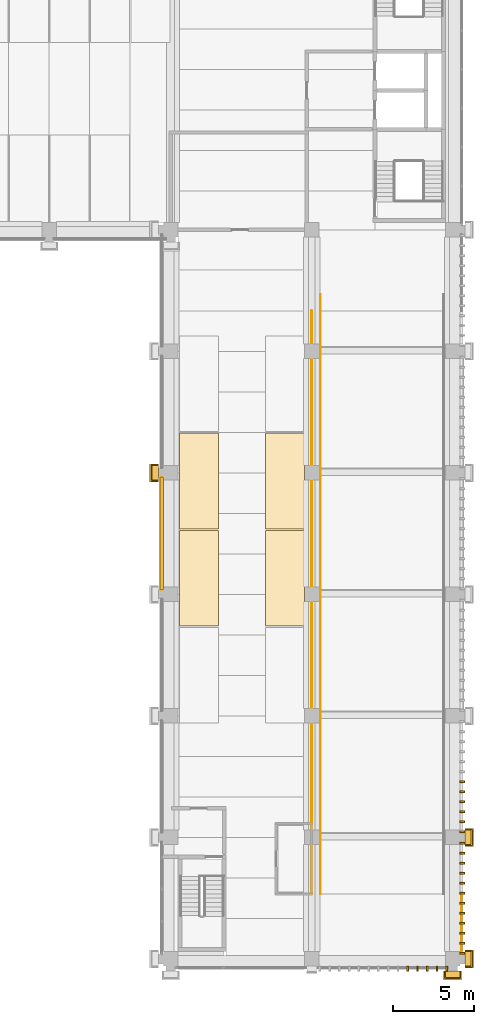
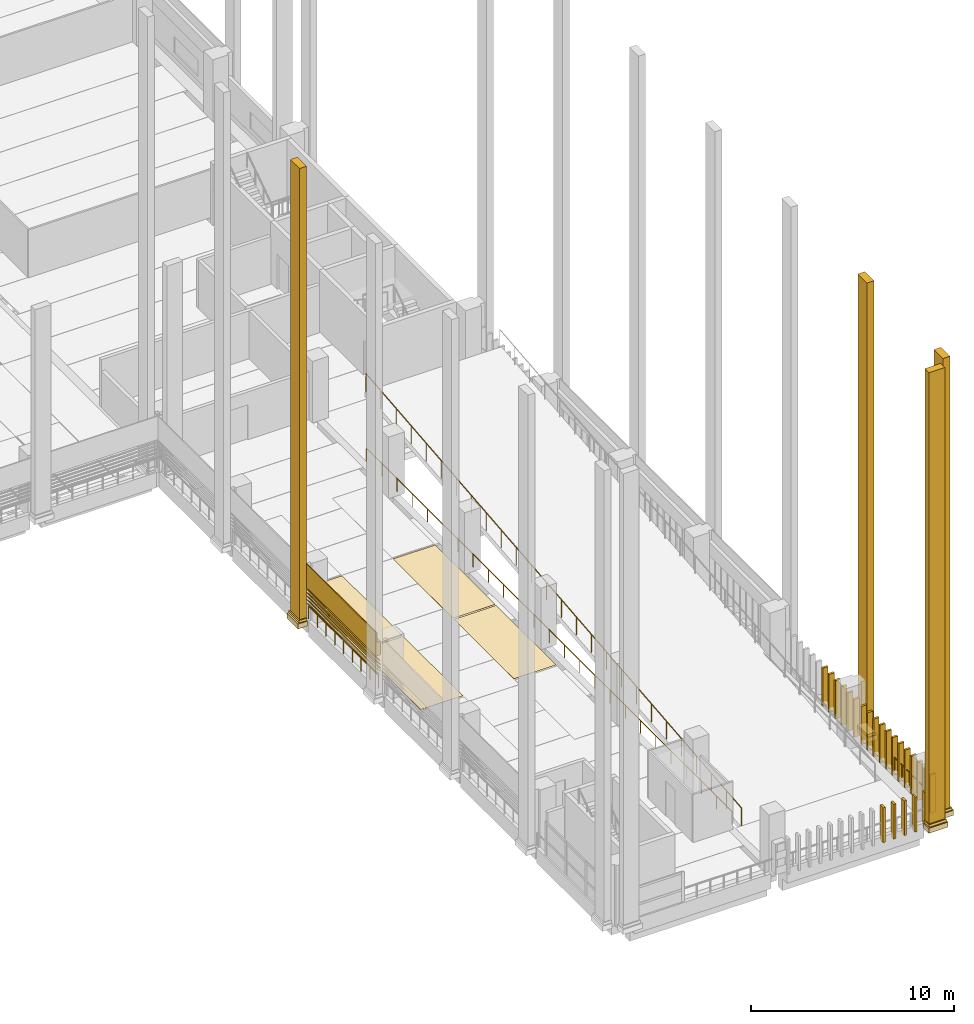
# One storey, part 57 of 67: 40 coverings, 5 shading devices, 4 railings.
"""IFC4 building model written with IfcOpenShell, lengths in metres."""

from ifc_helpers import new_model, si_unit, direction, frame, origin, origin_2d, place, context, subcontext, project, spatial, polyline, circle, outline, extrude, material, layer, layer_set, type_object, element, save


model = new_model("IFC4")

# Units and contexts
model_context = context("Model", 3, precision=1e-05, world=origin(), true_north=direction((0.0, 1.0)))
body_context = subcontext(model_context, "Body", "Model", "MODEL_VIEW")
ifc_project = project(units=[si_unit("LENGTHUNIT", "METRE"), si_unit("AREAUNIT", "SQUARE_METRE"), si_unit("VOLUMEUNIT", "CUBIC_METRE"), si_unit("PLANEANGLEUNIT", "RADIAN"), si_unit("MASSUNIT", "GRAM", prefix="KILO")], contexts=[model_context])

# Site, building, storey
site_placement = place(None, origin())
site = spatial("IfcSite", under=ifc_project, at=site_placement, CompositionType="ELEMENT")
building_placement = place(site_placement, origin())
building = spatial("IfcBuilding", under=site, at=building_placement, Name="Cour d'Honneur Mobility Palace", CompositionType="ELEMENT")
storey_placement = place(building_placement, frame((0.0, 0.0, 4.5)))
storey = spatial("IfcBuildingStorey", under=building, at=storey_placement, Name="L01", CompositionType="ELEMENT", Elevation=4.5)

# Railings
ifc_material_1 = material(Name="Painted steel", Category="steel")
railing_type_1 = type_object("IfcRailingType", Name="Balustrade", PredefinedType="BALUSTRADE", material=ifc_material_1)
railing_1_placement = place(storey_placement, frame((144.35009765625, 29.699951171875, 0.300048828125)))
element("IfcRailing", 1, at=railing_1_placement, inside=storey, type_object=railing_type_1, Name="Balustrade BAL-25", PredefinedType="BALUSTRADE", context=body_context, shape_type="SweptSolid", body=[
    extrude(circle(Radius=0.02392578125, at=origin_2d()), frame((0.0, 0.0, 0.77587890625), z_axis=(0.0, -1.0, 0.0), x_axis=(1.0, 0.0, 0.0)), (0.0, 0.0, 1.0), 6.89990234375),
    extrude(circle(Radius=0.02099609375, at=origin_2d()), origin(), (0.0, 0.0, 1.0), 0.751953125),
    extrude(circle(Radius=0.02099609375, at=origin_2d()), frame((0.0, -0.862548828125, 0.0)), (0.0, 0.0, 1.0), 0.751953125),
    extrude(circle(Radius=0.02099609375, at=origin_2d()), frame((0.0, -1.72509765625, 0.0)), (0.0, 0.0, 1.0), 0.751953125),
    extrude(circle(Radius=0.02099609375, at=origin_2d()), frame((0.0, -2.58740234375, 0.0)), (0.0, 0.0, 1.0), 0.751953125),
    extrude(circle(Radius=0.02099609375, at=origin_2d()), frame((0.0, -3.449951171875, 0.0)), (0.0, 0.0, 1.0), 0.751953125),
    extrude(circle(Radius=0.02099609375, at=origin_2d()), frame((0.0, -4.3125, 0.0)), (0.0, 0.0, 1.0), 0.751953125),
    extrude(circle(Radius=0.02099609375, at=origin_2d()), frame((0.0, -5.1748046875, 0.0)), (0.0, 0.0, 1.0), 0.751953125),
    extrude(circle(Radius=0.02099609375, at=origin_2d()), frame((0.0, -6.037353515625, 0.0)), (0.0, 0.0, 1.0), 0.751953125),
    extrude(circle(Radius=0.02099609375, at=origin_2d()), frame((0.0, -6.89990234375, 0.0)), (0.0, 0.0, 1.0), 0.751953125),
])
railing_2_placement = place(storey_placement, frame((162.85009765625, 0.300048828125, 0.300048828125)))
element("IfcRailing", 2, at=railing_2_placement, inside=storey, type_object=railing_type_1, Name="Balustrade BAL-31", PredefinedType="BALUSTRADE", context=body_context, shape_type="SweptSolid", body=[
    extrude(circle(Radius=0.02392578125, at=origin_2d()), frame((0.0, 0.0, 0.77587890625), z_axis=(0.0, 1.0, 0.0), x_axis=(-1.0, 0.0, 0.0)), (0.0, 0.0, 1.0), 3.699951171875),
    extrude(circle(Radius=0.02099609375, at=origin_2d()), origin(), (0.0, 0.0, 1.0), 0.751953125),
    extrude(circle(Radius=0.02099609375, at=origin_2d()), frame((0.0, 0.739990234375, 0.0)), (0.0, 0.0, 1.0), 0.751953125),
    extrude(circle(Radius=0.02099609375, at=origin_2d()), frame((0.0, 1.47998046875, 0.0)), (0.0, 0.0, 1.0), 0.751953125),
    extrude(circle(Radius=0.02099609375, at=origin_2d()), frame((0.0, 2.219970703125, 0.0)), (0.0, 0.0, 1.0), 0.751953125),
    extrude(circle(Radius=0.02099609375, at=origin_2d()), frame((0.0, 2.9599609375, 0.0)), (0.0, 0.0, 1.0), 0.751953125),
    extrude(circle(Radius=0.02099609375, at=origin_2d()), frame((0.0, 3.699951171875, 0.0)), (0.0, 0.0, 1.0), 0.751953125),
])

# Coverings
ifc_material_2 = material(Name="Parking marking paint")
ifc_layer_1 = layer(ifc_material_2, 0.0048828125)
ifc_layer_set_1 = layer_set([ifc_layer_1], Name="Parking marking paint")
covering_type_1 = type_object("IfcCoveringType", Name="Parking bay marking", PredefinedType="FLOORING", material=ifc_layer_set_1)
covering_1_placement = place(storey_placement, origin())
element("IfcCovering", 3, at=covering_1_placement, inside=storey, type_object=covering_type_1, Name="Parking bay marking L01 76", PredefinedType="FLOORING", context=body_context, shape_type="SweptSolid", body=[
    extrude(outline(polyline([(153.14990234375, 20.550048828125), (150.75, 20.550048828125), (150.75, 26.449951171875), (153.14990234375, 26.449951171875), (153.14990234375, 20.550048828125)])), origin(), (0.0, 0.0, 1.0), 0.0048828125),
])
covering_2_placement = place(storey_placement, origin())
element("IfcCovering", 4, at=covering_2_placement, inside=storey, type_object=covering_type_1, Name="Parking bay marking L01 77", PredefinedType="FLOORING", context=body_context, shape_type="SweptSolid", body=[
    extrude(outline(polyline([(153.14990234375, 26.550048828125), (150.75, 26.550048828125), (150.75, 32.449951171875), (153.14990234375, 32.449951171875), (153.14990234375, 26.550048828125)])), origin(), (0.0, 0.0, 1.0), 0.0048828125),
])
covering_3_placement = place(storey_placement, origin())
element("IfcCovering", 5, at=covering_3_placement, inside=storey, type_object=covering_type_1, Name="Parking bay marking L01 80", PredefinedType="FLOORING", context=body_context, shape_type="SweptSolid", body=[
    extrude(outline(polyline([(147.85009765625, 20.550048828125), (145.449951171875, 20.550048828125), (145.449951171875, 26.449951171875), (147.85009765625, 26.449951171875), (147.85009765625, 20.550048828125)])), origin(), (0.0, 0.0, 1.0), 0.0048828125),
])
covering_4_placement = place(storey_placement, origin())
element("IfcCovering", 6, at=covering_4_placement, inside=storey, type_object=covering_type_1, Name="Parking bay marking L01 81", PredefinedType="FLOORING", context=body_context, shape_type="SweptSolid", body=[
    extrude(outline(polyline([(147.85009765625, 26.550048828125), (145.449951171875, 26.550048828125), (145.449951171875, 32.449951171875), (147.85009765625, 32.449951171875), (147.85009765625, 26.550048828125)])), origin(), (0.0, 0.0, 1.0), 0.0048828125),
])
ifc_material_3 = material(Name="Cast limestone", Category="masonry")
ifc_layer_2 = layer(ifc_material_3, 0.14990234375)
ifc_layer_set_2 = layer_set([ifc_layer_2], Name="Cast limestone")
covering_type_2 = type_object("IfcCoveringType", Name="Pilaster base", PredefinedType="CLADDING", material=ifc_layer_set_2)
covering_5_placement = place(storey_placement, frame((0.0, 0.0, 0.10009765625)))
element("IfcCovering", 7, at=covering_5_placement, inside=storey, type_object=covering_type_2, Name="Pilaster base PB-59", PredefinedType="CLADDING", context=body_context, shape_type="SweptSolid", body=[
    extrude(outline(polyline([(144.14990234375, 30.550048828125), (144.14990234375, 29.449951171875), (143.60009765625, 29.449951171875), (143.60009765625, 30.550048828125), (144.14990234375, 30.550048828125)])), origin(), (0.0, 0.0, 1.0), 0.2998046875),
])
covering_6_placement = place(storey_placement, frame((0.0, 0.0, 0.39990234375)))
element("IfcCovering", 8, at=covering_6_placement, inside=storey, type_object=covering_type_2, Name="Pilaster base PB-60", PredefinedType="CLADDING", context=body_context, shape_type="SweptSolid", body=[
    extrude(outline(polyline([(144.14990234375, 30.5), (144.14990234375, 29.5), (143.679931640625, 29.5), (143.679931640625, 30.5), (144.14990234375, 30.5)])), origin(), (0.0, 0.0, 1.0), 0.150146484375),
])
covering_7_placement = place(storey_placement, frame((0.0, 0.0, 0.10009765625)))
element("IfcCovering", 9, at=covering_7_placement, inside=storey, type_object=covering_type_2, Name="Pilaster base PB-71", PredefinedType="CLADDING", context=body_context, shape_type="SweptSolid", body=[
    extrude(outline(polyline([(161.75, -0.75), (162.85009765625, -0.75), (162.85009765625, -1.300048828125), (161.75, -1.300048828125), (161.75, -0.75)])), origin(), (0.0, 0.0, 1.0), 0.2998046875),
])
covering_8_placement = place(storey_placement, frame((0.0, 0.0, 0.39990234375)))
element("IfcCovering", 10, at=covering_8_placement, inside=storey, type_object=covering_type_2, Name="Pilaster base PB-72", PredefinedType="CLADDING", context=body_context, shape_type="SweptSolid", body=[
    extrude(outline(polyline([(161.800048828125, -0.75), (162.800048828125, -0.75), (162.800048828125, -1.219970703125), (161.800048828125, -1.219970703125), (161.800048828125, -0.75)])), origin(), (0.0, 0.0, 1.0), 0.150146484375),
])
covering_9_placement = place(storey_placement, frame((0.0, 0.0, 0.10009765625)))
element("IfcCovering", 11, at=covering_9_placement, inside=storey, type_object=covering_type_2, Name="Pilaster base PB-73", PredefinedType="CLADDING", context=body_context, shape_type="SweptSolid", body=[
    extrude(outline(polyline([(163.050048828125, -0.550048828125), (163.050048828125, 0.550048828125), (163.60009765625, 0.550048828125), (163.60009765625, -0.550048828125), (163.050048828125, -0.550048828125)])), origin(), (0.0, 0.0, 1.0), 0.2998046875),
])
covering_10_placement = place(storey_placement, frame((0.0, 0.0, 0.39990234375)))
element("IfcCovering", 12, at=covering_10_placement, inside=storey, type_object=covering_type_2, Name="Pilaster base PB-74", PredefinedType="CLADDING", context=body_context, shape_type="SweptSolid", body=[
    extrude(outline(polyline([(163.050048828125, -0.5), (163.050048828125, 0.5), (163.52001953125, 0.5), (163.52001953125, -0.5), (163.050048828125, -0.5)])), origin(), (0.0, 0.0, 1.0), 0.150146484375),
])
covering_11_placement = place(storey_placement, frame((0.0, 0.0, 0.10009765625)))
element("IfcCovering", 13, at=covering_11_placement, inside=storey, type_object=covering_type_2, Name="Pilaster base PB-75", PredefinedType="CLADDING", context=body_context, shape_type="SweptSolid", body=[
    extrude(outline(polyline([(163.050048828125, 6.949951171875), (163.050048828125, 8.050048828125), (163.60009765625, 8.050048828125), (163.60009765625, 6.949951171875), (163.050048828125, 6.949951171875)])), origin(), (0.0, 0.0, 1.0), 0.2998046875),
])
covering_12_placement = place(storey_placement, frame((0.0, 0.0, 0.39990234375)))
element("IfcCovering", 14, at=covering_12_placement, inside=storey, type_object=covering_type_2, Name="Pilaster base PB-76", PredefinedType="CLADDING", context=body_context, shape_type="SweptSolid", body=[
    extrude(outline(polyline([(163.050048828125, 7.0), (163.050048828125, 8.0), (163.52001953125, 8.0), (163.52001953125, 7.0), (163.050048828125, 7.0)])), origin(), (0.0, 0.0, 1.0), 0.150146484375),
])
ifc_material_4 = material(Name="Cast limestone", Category="masonry")
ifc_layer_3 = layer(ifc_material_4, 0.39990234375)
ifc_layer_set_3 = layer_set([ifc_layer_3], Name="Cast limestone")
covering_type_3 = type_object("IfcCoveringType", Name="Pilaster shaft", PredefinedType="CLADDING", material=ifc_layer_set_3)
covering_13_placement = place(storey_placement, frame((0.0, 0.0, 0.550048828125)))
element("IfcCovering", 15, at=covering_13_placement, inside=storey, type_object=covering_type_3, Name="Pilaster shaft PS-30", PredefinedType="CLADDING", context=body_context, shape_type="SweptSolid", body=[
    extrude(outline(polyline([(144.14990234375, 30.449951171875), (144.14990234375, 29.550048828125), (143.75, 29.550048828125), (143.75, 30.449951171875), (144.14990234375, 30.449951171875)])), origin(), (0.0, 0.0, 1.0), 27.14990234375),
])
covering_14_placement = place(storey_placement, frame((0.0, 0.0, 0.550048828125)))
element("IfcCovering", 16, at=covering_14_placement, inside=storey, type_object=covering_type_3, Name="Pilaster shaft PS-36", PredefinedType="CLADDING", context=body_context, shape_type="SweptSolid", body=[
    extrude(outline(polyline([(161.85009765625, -0.75), (162.75, -0.75), (162.75, -1.14990234375), (161.85009765625, -1.14990234375), (161.85009765625, -0.75)])), origin(), (0.0, 0.0, 1.0), 27.14990234375),
])
covering_15_placement = place(storey_placement, frame((0.0, 0.0, 0.550048828125)))
element("IfcCovering", 17, at=covering_15_placement, inside=storey, type_object=covering_type_3, Name="Pilaster shaft PS-37", PredefinedType="CLADDING", context=body_context, shape_type="SweptSolid", body=[
    extrude(outline(polyline([(163.050048828125, -0.449951171875), (163.050048828125, 0.449951171875), (163.449951171875, 0.449951171875), (163.449951171875, -0.449951171875), (163.050048828125, -0.449951171875)])), origin(), (0.0, 0.0, 1.0), 27.14990234375),
])
covering_16_placement = place(storey_placement, frame((0.0, 0.0, 0.550048828125)))
element("IfcCovering", 18, at=covering_16_placement, inside=storey, type_object=covering_type_3, Name="Pilaster shaft PS-38", PredefinedType="CLADDING", context=body_context, shape_type="SweptSolid", body=[
    extrude(outline(polyline([(163.050048828125, 7.050048828125), (163.050048828125, 7.949951171875), (163.449951171875, 7.949951171875), (163.449951171875, 7.050048828125), (163.050048828125, 7.050048828125)])), origin(), (0.0, 0.0, 1.0), 27.14990234375),
])

# Railing
ifc_material_5 = material(Name="Painted steel", Category="steel")
railing_type_2 = type_object("IfcRailingType", Name="Ramp guard 1100", PredefinedType="GUARDRAIL", material=ifc_material_5)
railing_3_placement = place(storey_placement, frame((154.14990234375, 4.0, 0.0)))
element("IfcRailing", 19, at=railing_3_placement, inside=storey, type_object=railing_type_2, Name="Ramp guard Ramp East 2", PredefinedType="GUARDRAIL", context=body_context, shape_type="SweptSolid", body=[
    extrude(circle(Radius=0.02490234375, at=origin_2d()), frame((0.0, 0.0, 1.0751953125), z_axis=(0.0, 0.995037320222, 0.099502418892), x_axis=(-1.0, 0.0, 0.0)), (0.0, 0.0, 1.0), 37.1845703125),
    extrude(circle(Radius=0.02099609375, at=origin_2d()), origin(), (0.0, 0.0, 1.0), 1.050048828125),
    extrude(circle(Radius=0.02099609375, at=origin_2d()), frame((0.0, 1.47998046875, 0.14794921875)), (0.0, 0.0, 1.0), 1.050048828125),
    extrude(circle(Radius=0.02099609375, at=origin_2d()), frame((0.0, 2.9599609375, 0.2958984375)), (0.0, 0.0, 1.0), 1.050048828125),
    extrude(circle(Radius=0.02099609375, at=origin_2d()), frame((0.0, 4.43994140625, 0.444091796875)), (0.0, 0.0, 1.0), 1.050048828125),
    extrude(circle(Radius=0.02099609375, at=origin_2d()), frame((0.0, 5.919921875, 0.592041015625)), (0.0, 0.0, 1.0), 1.050048828125),
    extrude(circle(Radius=0.02099609375, at=origin_2d()), frame((0.0, 7.39990234375, 0.739990234375)), (0.0, 0.0, 1.0), 1.050048828125),
    extrude(circle(Radius=0.02099609375, at=origin_2d()), frame((0.0, 8.8798828125, 0.887939453125)), (0.0, 0.0, 1.0), 1.050048828125),
    extrude(circle(Radius=0.02099609375, at=origin_2d()), frame((0.0, 10.360107421875, 1.035888671875)), (0.0, 0.0, 1.0), 1.050048828125),
    extrude(circle(Radius=0.02099609375, at=origin_2d()), frame((0.0, 11.840087890625, 1.18408203125)), (0.0, 0.0, 1.0), 1.050048828125),
    extrude(circle(Radius=0.02099609375, at=origin_2d()), frame((0.0, 13.320068359375, 1.33203125)), (0.0, 0.0, 1.0), 1.050048828125),
    extrude(circle(Radius=0.02099609375, at=origin_2d()), frame((0.0, 14.800048828125, 1.47998046875)), (0.0, 0.0, 1.0), 1.050048828125),
    extrude(circle(Radius=0.02099609375, at=origin_2d()), frame((0.0, 16.280029296875, 1.6279296875)), (0.0, 0.0, 1.0), 1.050048828125),
    extrude(circle(Radius=0.02099609375, at=origin_2d()), frame((0.0, 17.760009765625, 1.77587890625)), (0.0, 0.0, 1.0), 1.050048828125),
    extrude(circle(Radius=0.02099609375, at=origin_2d()), frame((0.0, 19.239990234375, 1.924072265625)), (0.0, 0.0, 1.0), 1.050048828125),
    extrude(circle(Radius=0.02099609375, at=origin_2d()), frame((0.0, 20.719970703125, 2.072021484375)), (0.0, 0.0, 1.0), 1.050048828125),
    extrude(circle(Radius=0.02099609375, at=origin_2d()), frame((0.0, 22.199951171875, 2.219970703125)), (0.0, 0.0, 1.0), 1.050048828125),
    extrude(circle(Radius=0.02099609375, at=origin_2d()), frame((0.0, 23.679931640625, 2.367919921875)), (0.0, 0.0, 1.0), 1.050048828125),
    extrude(circle(Radius=0.02099609375, at=origin_2d()), frame((0.0, 25.159912109375, 2.515869140625)), (0.0, 0.0, 1.0), 1.050048828125),
    extrude(circle(Radius=0.02099609375, at=origin_2d()), frame((0.0, 26.639892578125, 2.6640625)), (0.0, 0.0, 1.0), 1.050048828125),
    extrude(circle(Radius=0.02099609375, at=origin_2d()), frame((0.0, 28.1201171875, 2.81201171875)), (0.0, 0.0, 1.0), 1.050048828125),
    extrude(circle(Radius=0.02099609375, at=origin_2d()), frame((0.0, 29.60009765625, 2.9599609375)), (0.0, 0.0, 1.0), 1.050048828125),
    extrude(circle(Radius=0.02099609375, at=origin_2d()), frame((0.0, 31.080078125, 3.10791015625)), (0.0, 0.0, 1.0), 1.050048828125),
    extrude(circle(Radius=0.02099609375, at=origin_2d()), frame((0.0, 32.56005859375, 3.255859375)), (0.0, 0.0, 1.0), 1.050048828125),
    extrude(circle(Radius=0.02099609375, at=origin_2d()), frame((0.0, 34.0400390625, 3.404052734375)), (0.0, 0.0, 1.0), 1.050048828125),
    extrude(circle(Radius=0.02099609375, at=origin_2d()), frame((0.0, 35.52001953125, 3.552001953125)), (0.0, 0.0, 1.0), 1.050048828125),
    extrude(circle(Radius=0.02099609375, at=origin_2d()), frame((0.0, 37.0, 3.699951171875)), (0.0, 0.0, 1.0), 1.050048828125),
])

# Coverings
ifc_material_6 = material(Name="Cast limestone", Category="masonry")
ifc_layer_4 = layer(ifc_material_6, 0.1201171875)
ifc_layer_set_4 = layer_set([ifc_layer_4], Name="Cast limestone")
covering_type_4 = type_object("IfcCoveringType", Name="Ramp screen fin", PredefinedType="CLADDING", material=ifc_layer_set_4)
covering_17_placement = place(storey_placement, origin())
element("IfcCovering", 20, at=covering_17_placement, inside=storey, type_object=covering_type_4, Name="Ramp screen fin S4.1 L01 10", PredefinedType="CLADDING", context=body_context, shape_type="SweptSolid", body=[
    extrude(outline(polyline([(159.470703125, -0.449951171875), (159.5908203125, -0.449951171875), (159.5908203125, -0.75), (159.470703125, -0.75), (159.470703125, -0.449951171875)])), origin(), (0.0, 0.0, 1.0), 2.10009765625),
])
covering_18_placement = place(storey_placement, origin())
element("IfcCovering", 21, at=covering_18_placement, inside=storey, type_object=covering_type_4, Name="Ramp screen fin S4.1 L01 11", PredefinedType="CLADDING", context=body_context, shape_type="SweptSolid", body=[
    extrude(outline(polyline([(160.072998046875, -0.449951171875), (160.193115234375, -0.449951171875), (160.193115234375, -0.75), (160.072998046875, -0.75), (160.072998046875, -0.449951171875)])), origin(), (0.0, 0.0, 1.0), 2.10009765625),
])
covering_19_placement = place(storey_placement, origin())
element("IfcCovering", 22, at=covering_19_placement, inside=storey, type_object=covering_type_4, Name="Ramp screen fin S4.1 L01 12", PredefinedType="CLADDING", context=body_context, shape_type="SweptSolid", body=[
    extrude(outline(polyline([(160.67529296875, -0.449951171875), (160.79541015625, -0.449951171875), (160.79541015625, -0.75), (160.67529296875, -0.75), (160.67529296875, -0.449951171875)])), origin(), (0.0, 0.0, 1.0), 2.10009765625),
])
covering_20_placement = place(storey_placement, origin())
element("IfcCovering", 23, at=covering_20_placement, inside=storey, type_object=covering_type_4, Name="Ramp screen fin S4.1 L01 13", PredefinedType="CLADDING", context=body_context, shape_type="SweptSolid", body=[
    extrude(outline(polyline([(161.277587890625, -0.449951171875), (161.397705078125, -0.449951171875), (161.397705078125, -0.75), (161.277587890625, -0.75), (161.277587890625, -0.449951171875)])), origin(), (0.0, 0.0, 1.0), 2.10009765625),
])
covering_21_placement = place(storey_placement, origin())
element("IfcCovering", 24, at=covering_21_placement, inside=storey, type_object=covering_type_4, Name="Ramp screen fin S4.1 L01 14", PredefinedType="CLADDING", context=body_context, shape_type="SweptSolid", body=[
    extrude(outline(polyline([(161.8798828125, -0.449951171875), (162.0, -0.449951171875), (162.0, -0.75), (161.8798828125, -0.75), (161.8798828125, -0.449951171875)])), origin(), (0.0, 0.0, 1.0), 2.10009765625),
])
covering_22_placement = place(storey_placement, origin())
element("IfcCovering", 25, at=covering_22_placement, inside=storey, type_object=covering_type_4, Name="Ramp screen fin E5.0 L01 1", PredefinedType="CLADDING", context=body_context, shape_type="SweptSolid", body=[
    extrude(outline(polyline([(162.75, 0.300048828125), (162.75, 0.419921875), (163.050048828125, 0.419921875), (163.050048828125, 0.300048828125), (162.75, 0.300048828125)])), origin(), (0.0, 0.0, 1.0), 2.300048828125),
])
covering_23_placement = place(storey_placement, origin())
element("IfcCovering", 26, at=covering_23_placement, inside=storey, type_object=covering_type_4, Name="Ramp screen fin E5.0 L01 2", PredefinedType="CLADDING", context=body_context, shape_type="SweptSolid", body=[
    extrude(outline(polyline([(162.75, 0.916259765625), (162.75, 1.036376953125), (163.050048828125, 1.036376953125), (163.050048828125, 0.916259765625), (162.75, 0.916259765625)])), origin(), (0.0, 0.0, 1.0), 2.300048828125),
])
covering_24_placement = place(storey_placement, origin())
element("IfcCovering", 27, at=covering_24_placement, inside=storey, type_object=covering_type_4, Name="Ramp screen fin E5.0 L01 3", PredefinedType="CLADDING", context=body_context, shape_type="SweptSolid", body=[
    extrude(outline(polyline([(162.75, 1.53271484375), (162.75, 1.65283203125), (163.050048828125, 1.65283203125), (163.050048828125, 1.53271484375), (162.75, 1.53271484375)])), origin(), (0.0, 0.0, 1.0), 2.300048828125),
])
covering_25_placement = place(storey_placement, origin())
element("IfcCovering", 28, at=covering_25_placement, inside=storey, type_object=covering_type_4, Name="Ramp screen fin E5.0 L01 4", PredefinedType="CLADDING", context=body_context, shape_type="SweptSolid", body=[
    extrude(outline(polyline([(162.75, 2.149169921875), (162.75, 2.26904296875), (163.050048828125, 2.26904296875), (163.050048828125, 2.149169921875), (162.75, 2.149169921875)])), origin(), (0.0, 0.0, 1.0), 2.300048828125),
])
covering_26_placement = place(storey_placement, origin())
element("IfcCovering", 29, at=covering_26_placement, inside=storey, type_object=covering_type_4, Name="Ramp screen fin E5.0 L01 5", PredefinedType="CLADDING", context=body_context, shape_type="SweptSolid", body=[
    extrude(outline(polyline([(162.75, 2.765380859375), (162.75, 2.885498046875), (163.050048828125, 2.885498046875), (163.050048828125, 2.765380859375), (162.75, 2.765380859375)])), origin(), (0.0, 0.0, 1.0), 2.300048828125),
])
covering_27_placement = place(storey_placement, origin())
element("IfcCovering", 30, at=covering_27_placement, inside=storey, type_object=covering_type_4, Name="Ramp screen fin E5.0 L01 6", PredefinedType="CLADDING", context=body_context, shape_type="SweptSolid", body=[
    extrude(outline(polyline([(162.75, 3.3818359375), (162.75, 3.501708984375), (163.050048828125, 3.501708984375), (163.050048828125, 3.3818359375), (162.75, 3.3818359375)])), origin(), (0.0, 0.0, 1.0), 2.300048828125),
])
covering_28_placement = place(storey_placement, origin())
element("IfcCovering", 31, at=covering_28_placement, inside=storey, type_object=covering_type_4, Name="Ramp screen fin E5.0 L01 7", PredefinedType="CLADDING", context=body_context, shape_type="SweptSolid", body=[
    extrude(outline(polyline([(162.75, 3.998291015625), (162.75, 4.1181640625), (163.050048828125, 4.1181640625), (163.050048828125, 3.998291015625), (162.75, 3.998291015625)])), origin(), (0.0, 0.0, 1.0), 2.300048828125),
])
covering_29_placement = place(storey_placement, origin())
element("IfcCovering", 32, at=covering_29_placement, inside=storey, type_object=covering_type_4, Name="Ramp screen fin E5.0 L01 8", PredefinedType="CLADDING", context=body_context, shape_type="SweptSolid", body=[
    extrude(outline(polyline([(162.75, 4.614501953125), (162.75, 4.734619140625), (163.050048828125, 4.734619140625), (163.050048828125, 4.614501953125), (162.75, 4.614501953125)])), origin(), (0.0, 0.0, 1.0), 2.300048828125),
])
covering_30_placement = place(storey_placement, origin())
element("IfcCovering", 33, at=covering_30_placement, inside=storey, type_object=covering_type_4, Name="Ramp screen fin E5.0 L01 9", PredefinedType="CLADDING", context=body_context, shape_type="SweptSolid", body=[
    extrude(outline(polyline([(162.75, 5.23095703125), (162.75, 5.350830078125), (163.050048828125, 5.350830078125), (163.050048828125, 5.23095703125), (162.75, 5.23095703125)])), origin(), (0.0, 0.0, 1.0), 2.300048828125),
])
covering_31_placement = place(storey_placement, origin())
element("IfcCovering", 34, at=covering_31_placement, inside=storey, type_object=covering_type_4, Name="Ramp screen fin E5.0 L01 10", PredefinedType="CLADDING", context=body_context, shape_type="SweptSolid", body=[
    extrude(outline(polyline([(162.75, 5.84716796875), (162.75, 5.96728515625), (163.050048828125, 5.96728515625), (163.050048828125, 5.84716796875), (162.75, 5.84716796875)])), origin(), (0.0, 0.0, 1.0), 2.300048828125),
])
covering_32_placement = place(storey_placement, origin())
element("IfcCovering", 35, at=covering_32_placement, inside=storey, type_object=covering_type_4, Name="Ramp screen fin E5.0 L01 11", PredefinedType="CLADDING", context=body_context, shape_type="SweptSolid", body=[
    extrude(outline(polyline([(162.75, 6.463623046875), (162.75, 6.583740234375), (163.050048828125, 6.583740234375), (163.050048828125, 6.463623046875), (162.75, 6.463623046875)])), origin(), (0.0, 0.0, 1.0), 2.300048828125),
])
covering_33_placement = place(storey_placement, origin())
element("IfcCovering", 36, at=covering_33_placement, inside=storey, type_object=covering_type_4, Name="Ramp screen fin E5.0 L01 12", PredefinedType="CLADDING", context=body_context, shape_type="SweptSolid", body=[
    extrude(outline(polyline([(162.75, 7.080078125), (162.75, 7.199951171875), (163.050048828125, 7.199951171875), (163.050048828125, 7.080078125), (162.75, 7.080078125)])), origin(), (0.0, 0.0, 1.0), 2.300048828125),
])
covering_34_placement = place(storey_placement, origin())
element("IfcCovering", 37, at=covering_34_placement, inside=storey, type_object=covering_type_4, Name="Ramp screen fin E5.1 L01 1", PredefinedType="CLADDING", context=body_context, shape_type="SweptSolid", body=[
    extrude(outline(polyline([(162.75, 7.800048828125), (162.75, 7.919921875), (163.050048828125, 7.919921875), (163.050048828125, 7.800048828125), (162.75, 7.800048828125)])), origin(), (0.0, 0.0, 1.0), 2.300048828125),
])
covering_35_placement = place(storey_placement, origin())
element("IfcCovering", 38, at=covering_35_placement, inside=storey, type_object=covering_type_4, Name="Ramp screen fin E5.1 L01 2", PredefinedType="CLADDING", context=body_context, shape_type="SweptSolid", body=[
    extrude(outline(polyline([(162.75, 8.416259765625), (162.75, 8.536376953125), (163.050048828125, 8.536376953125), (163.050048828125, 8.416259765625), (162.75, 8.416259765625)])), origin(), (0.0, 0.0, 1.0), 2.300048828125),
])
covering_36_placement = place(storey_placement, origin())
element("IfcCovering", 39, at=covering_36_placement, inside=storey, type_object=covering_type_4, Name="Ramp screen fin E5.1 L01 3", PredefinedType="CLADDING", context=body_context, shape_type="SweptSolid", body=[
    extrude(outline(polyline([(162.75, 9.03271484375), (162.75, 9.15283203125), (163.050048828125, 9.15283203125), (163.050048828125, 9.03271484375), (162.75, 9.03271484375)])), origin(), (0.0, 0.0, 1.0), 2.300048828125),
])
covering_37_placement = place(storey_placement, origin())
element("IfcCovering", 40, at=covering_37_placement, inside=storey, type_object=covering_type_4, Name="Ramp screen fin E5.1 L01 4", PredefinedType="CLADDING", context=body_context, shape_type="SweptSolid", body=[
    extrude(outline(polyline([(162.75, 9.649169921875), (162.75, 9.76904296875), (163.050048828125, 9.76904296875), (163.050048828125, 9.649169921875), (162.75, 9.649169921875)])), origin(), (0.0, 0.0, 1.0), 2.300048828125),
])
covering_38_placement = place(storey_placement, origin())
element("IfcCovering", 41, at=covering_38_placement, inside=storey, type_object=covering_type_4, Name="Ramp screen fin E5.1 L01 5", PredefinedType="CLADDING", context=body_context, shape_type="SweptSolid", body=[
    extrude(outline(polyline([(162.75, 10.265380859375), (162.75, 10.385498046875), (163.050048828125, 10.385498046875), (163.050048828125, 10.265380859375), (162.75, 10.265380859375)])), origin(), (0.0, 0.0, 1.0), 2.300048828125),
])
covering_39_placement = place(storey_placement, origin())
element("IfcCovering", 42, at=covering_39_placement, inside=storey, type_object=covering_type_4, Name="Ramp screen fin E5.1 L01 6", PredefinedType="CLADDING", context=body_context, shape_type="SweptSolid", body=[
    extrude(outline(polyline([(162.75, 10.8818359375), (162.75, 11.001708984375), (163.050048828125, 11.001708984375), (163.050048828125, 10.8818359375), (162.75, 10.8818359375)])), origin(), (0.0, 0.0, 1.0), 2.300048828125),
])
ifc_material_7 = material(Name="Cast limestone", Category="masonry")
ifc_layer_5 = layer(ifc_material_7, 0.25)
ifc_layer_set_5 = layer_set([ifc_layer_5], Name="Cast limestone")
covering_type_5 = type_object("IfcCoveringType", Name="Spandrel cladding", PredefinedType="CLADDING", material=ifc_layer_set_5)
covering_40_placement = place(storey_placement, frame((144.449951171875, 29.699951171875, 2.300048828125), z_axis=(0.0, 1.0, 0.0), x_axis=(-1.0, 0.0, 0.0)))
element("IfcCovering", 43, at=covering_40_placement, inside=storey, type_object=covering_type_5, Name="Spandrel cladding SK-89", PredefinedType="CLADDING", context=body_context, shape_type="SweptSolid", body=[
    extrude(outline(polyline([(0.0, 0.0), (0.25, 0.0), (0.25, 1.39990234375), (0.199951171875, 1.39990234375), (0.199951171875, 0.800048828125), (0.0, 0.800048828125), (0.0, 0.0)])), origin(), (0.0, 0.0, -1.0), 6.89990234375),
])

# Shading devices
ifc_material_8 = material(Name="Terracotta", Category="masonry")
ifc_layer_6 = layer(ifc_material_8, 0.02490234375)
ifc_layer_set_6 = layer_set([ifc_layer_6], Name="Terracotta")
shading_device_type = type_object("IfcShadingDeviceType", Name="Terracotta louvre blade", PredefinedType="JALOUSIE", material=ifc_layer_set_6)
shading_device_placement = place(storey_placement, frame((144.4560546875, 29.699951171875, 1.10009765625), z_axis=(0.706699578995, 0.0, 0.707513749017), x_axis=(0.0, -1.0, 0.0)))
element("IfcShadingDevice", 44, at=shading_device_placement, inside=storey, type_object=shading_device_type, Name="Louvre blade LV-1 W3.2 L01 1", PredefinedType="JALOUSIE", context=body_context, shape_type="SweptSolid", body=[
    extrude(outline(polyline([(0.0, 0.0), (6.89990234375, 0.0), (6.89990234375, -0.29986442442957895), (0.0, -0.29986442442957895), (0.0, 0.0)])), origin(), (0.0, 0.0, -1.0), 0.02490234375),
])
for number, where, z_axis, x_axis, name in (
    (45, (144.4560546875, 29.699951171875, 1.31201171875), (0.707106781187, 0.0, 0.707106781187), (0.0, -1.0, 0.0), "Louvre blade LV-1 W3.2 L01 2"),
    (46, (144.4560546875, 29.699951171875, 1.524169921875), (0.707106781187, 0.0, 0.707106781187), (0.0, -1.0, 0.0), "Louvre blade LV-1 W3.2 L01 3"),
    (47, (144.4560546875, 29.699951171875, 1.736328125), (0.707106781187, 0.0, 0.707106781187), (0.0, -1.0, 0.0), "Louvre blade LV-1 W3.2 L01 4"),
    (48, (144.4560546875, 29.699951171875, 1.948486328125), (0.707106781187, 0.0, 0.707106781187), (0.0, -1.0, 0.0), "Louvre blade LV-1 W3.2 L01 5"),
):
    element("IfcShadingDevice", number, at=place(storey_placement, frame(where, z_axis=z_axis, x_axis=x_axis)), inside=storey, type_object=shading_device_type, Name=name, PredefinedType="JALOUSIE", context=body_context, shape_type="SweptSolid", body=[
        extrude(outline(polyline([(0.0, 0.0), (6.89990234375, 0.0), (6.89990234375, -0.300037008228081), (0.0, -0.300037008228081), (0.0, 0.0)])), origin(), (0.0, 0.0, -1.0), 0.02490234375),
    ])

# Railing
ifc_material_9 = material(Name="Painted steel", Category="steel")
railing_type_3 = type_object("IfcRailingType", Name="Void edge guard 1100", PredefinedType="GUARDRAIL", material=ifc_material_9)
railing_4_placement = place(storey_placement, frame((153.60009765625, 4.0, 0.300048828125)))
element("IfcRailing", 49, at=railing_4_placement, inside=storey, type_object=railing_type_3, Name="Void edge guard SE L01", PredefinedType="GUARDRAIL", context=body_context, shape_type="SweptSolid", body=[
    extrude(circle(Radius=0.02490234375, at=origin_2d()), frame((0.0, 0.0, 0.77490234375), z_axis=(0.0, 1.0, 0.0), x_axis=(-1.0, 0.0, 0.0)), (0.0, 0.0, 1.0), 36.0),
    extrude(circle(Radius=0.02099609375, at=origin_2d()), origin(), (0.0, 0.0, 1.0), 0.75),
    extrude(circle(Radius=0.02099609375, at=origin_2d()), frame((0.0, 1.5, 0.0)), (0.0, 0.0, 1.0), 0.75),
    extrude(circle(Radius=0.02099609375, at=origin_2d()), frame((0.0, 3.0, 0.0)), (0.0, 0.0, 1.0), 0.75),
    extrude(circle(Radius=0.02099609375, at=origin_2d()), frame((0.0, 4.5, 0.0)), (0.0, 0.0, 1.0), 0.75),
    extrude(circle(Radius=0.02099609375, at=origin_2d()), frame((0.0, 6.0, 0.0)), (0.0, 0.0, 1.0), 0.75),
    extrude(circle(Radius=0.02099609375, at=origin_2d()), frame((0.0, 7.5, 0.0)), (0.0, 0.0, 1.0), 0.75),
    extrude(circle(Radius=0.02099609375, at=origin_2d()), frame((0.0, 9.0, 0.0)), (0.0, 0.0, 1.0), 0.75),
    extrude(circle(Radius=0.02099609375, at=origin_2d()), frame((0.0, 10.5, 0.0)), (0.0, 0.0, 1.0), 0.75),
    extrude(circle(Radius=0.02099609375, at=origin_2d()), frame((0.0, 12.0, 0.0)), (0.0, 0.0, 1.0), 0.75),
    extrude(circle(Radius=0.02099609375, at=origin_2d()), frame((0.0, 13.5, 0.0)), (0.0, 0.0, 1.0), 0.75),
    extrude(circle(Radius=0.02099609375, at=origin_2d()), frame((0.0, 15.0, 0.0)), (0.0, 0.0, 1.0), 0.75),
    extrude(circle(Radius=0.02099609375, at=origin_2d()), frame((0.0, 16.5, 0.0)), (0.0, 0.0, 1.0), 0.75),
    extrude(circle(Radius=0.02099609375, at=origin_2d()), frame((0.0, 18.0, 0.0)), (0.0, 0.0, 1.0), 0.75),
    extrude(circle(Radius=0.02099609375, at=origin_2d()), frame((0.0, 19.5, 0.0)), (0.0, 0.0, 1.0), 0.75),
    extrude(circle(Radius=0.02099609375, at=origin_2d()), frame((0.0, 21.0, 0.0)), (0.0, 0.0, 1.0), 0.75),
    extrude(circle(Radius=0.02099609375, at=origin_2d()), frame((0.0, 22.5, 0.0)), (0.0, 0.0, 1.0), 0.75),
    extrude(circle(Radius=0.02099609375, at=origin_2d()), frame((0.0, 24.0, 0.0)), (0.0, 0.0, 1.0), 0.75),
    extrude(circle(Radius=0.02099609375, at=origin_2d()), frame((0.0, 25.5, 0.0)), (0.0, 0.0, 1.0), 0.75),
    extrude(circle(Radius=0.02099609375, at=origin_2d()), frame((0.0, 27.0, 0.0)), (0.0, 0.0, 1.0), 0.75),
    extrude(circle(Radius=0.02099609375, at=origin_2d()), frame((0.0, 28.5, 0.0)), (0.0, 0.0, 1.0), 0.75),
    extrude(circle(Radius=0.02099609375, at=origin_2d()), frame((0.0, 30.0, 0.0)), (0.0, 0.0, 1.0), 0.75),
    extrude(circle(Radius=0.02099609375, at=origin_2d()), frame((0.0, 31.5, 0.0)), (0.0, 0.0, 1.0), 0.75),
    extrude(circle(Radius=0.02099609375, at=origin_2d()), frame((0.0, 33.0, 0.0)), (0.0, 0.0, 1.0), 0.75),
    extrude(circle(Radius=0.02099609375, at=origin_2d()), frame((0.0, 34.5, 0.0)), (0.0, 0.0, 1.0), 0.75),
    extrude(circle(Radius=0.02099609375, at=origin_2d()), frame((0.0, 36.0, 0.0)), (0.0, 0.0, 1.0), 0.75),
])

save(model, "model.ifc")
